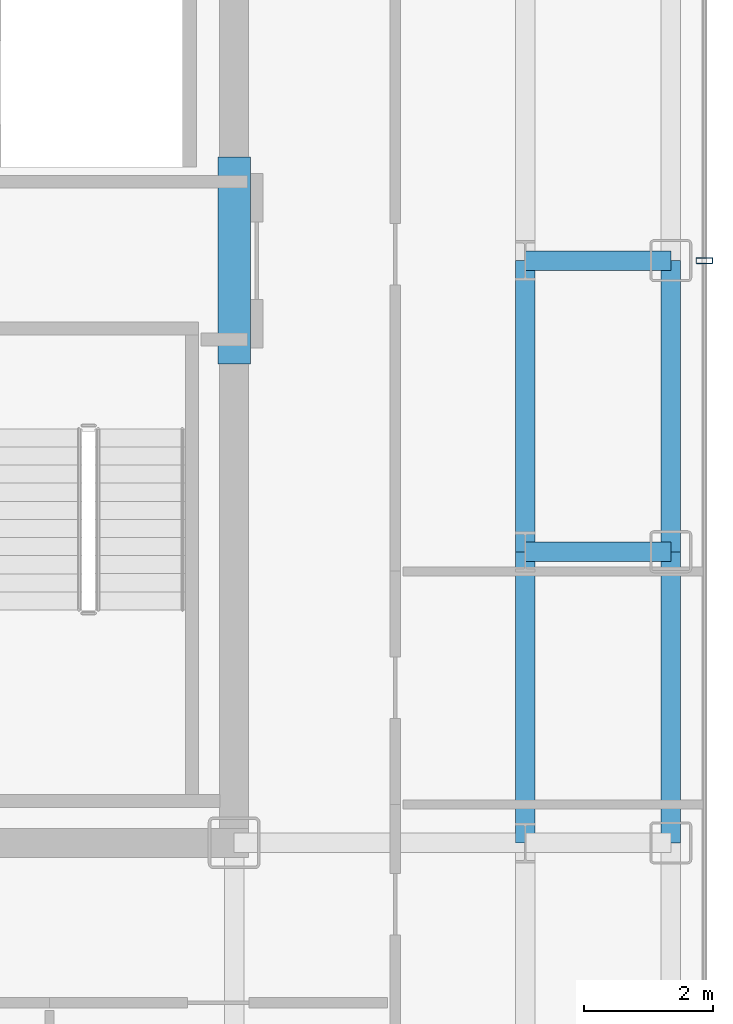
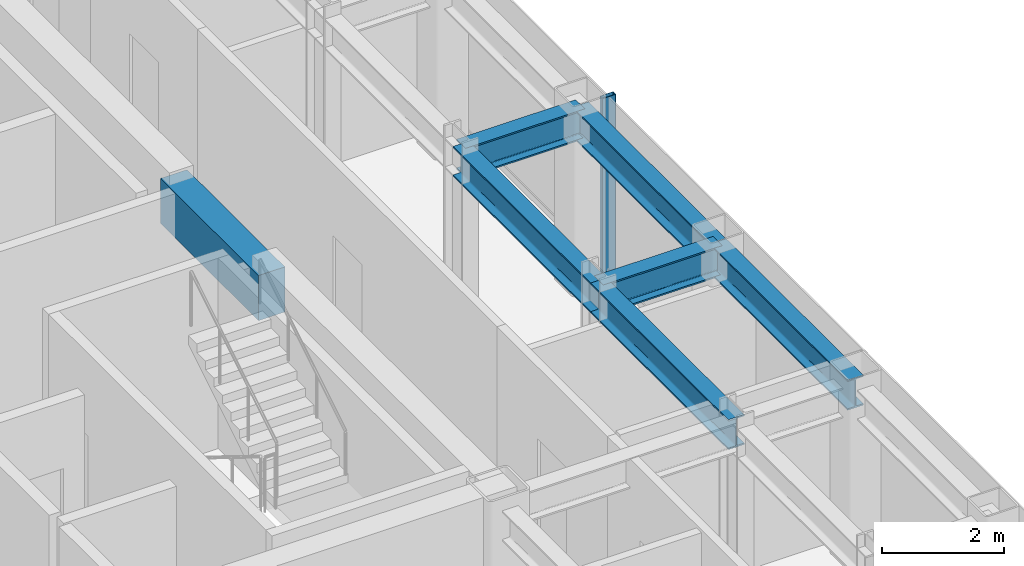
# One storey, part 7 of 18: 7 beams, 1 member, 1 element without a shape of its own.
"""IFC4 building model written with IfcOpenShell, lengths in metres."""

from ifc_helpers import new_model, si_unit, direction, frame, origin, origin_2d, place, context, subcontext, project, spatial, rectangle, hollow_rectangle, i_section, extrude, source, transform, mapped, material, layer, layer_set, material_profile, profile_set, type_object, element, aggregate, save


model = new_model("IFC4")

# Units and contexts
model_context = context("Model", 3, precision=1e-05, world=origin(), true_north=direction((0.0, 1.0)))
body_context = subcontext(model_context, "Body", "Model", "MODEL_VIEW")
ifc_project = project(units=[si_unit("LENGTHUNIT", "METRE"), si_unit("AREAUNIT", "SQUARE_METRE"), si_unit("VOLUMEUNIT", "CUBIC_METRE"), si_unit("PLANEANGLEUNIT", "RADIAN"), si_unit("MASSUNIT", "GRAM", prefix="KILO")], contexts=[model_context])

# Site, building, storey
site_placement = place(None, origin())
site = spatial("IfcSite", under=ifc_project, at=site_placement, CompositionType="ELEMENT")
building_placement = place(site_placement, origin())
building = spatial("IfcBuilding", under=site, at=building_placement, Name="Nefas-Gora Pilgrimage Tower", CompositionType="ELEMENT")
storey_placement = place(building_placement, frame((0.0, 0.0, 272.199951171875)))
storey = spatial("IfcBuildingStorey", under=building, at=storey_placement, Name="L68", CompositionType="ELEMENT", Elevation=272.199951171875)

# Beams
ifc_material_1 = material(Name="Concrete C50/60", Category="concrete")
ifc_material_profile_1 = material_profile(ifc_material_1, rectangle(XDim=0.5, YDim=0.89990234375, at=origin_2d()), Name="RC 500x900")
ifc_profile_set_1 = profile_set([ifc_material_profile_1], Name="Concrete C50/60")
beam_type_1 = type_object("IfcBeamType", Name="BM-LIN-RC900", PredefinedType="LINTEL", material=ifc_profile_set_1)
shared_shape_1 = source(origin(), body_context, "Body", "SweptSolid", [
    extrude(rectangle(XDim=0.5, YDim=0.89990234375, at=origin_2d()), origin(), (0.0, 0.0, 1.0), 3.2001953125),
])
beam_placement = place(storey_placement, frame((11.25, -1.60009765625, 3.10009765625), z_axis=(0.0, 1.0, 0.0), x_axis=(-1.0, 0.0, 0.0)))
element("IfcBeam", 1, at=beam_placement, inside=storey, type_object=beam_type_1, Name="L68 Core Coupling Lintel Beam E", PredefinedType="LINTEL", context=body_context, shape_type="MappedRepresentation", body=[
    mapped(shared_shape_1, transform((0.0, 0.0, 0.0), x_axis=(1.0, 0.0, 0.0), y_axis=(0.0, 1.0, 0.0), z_axis=(0.0, 0.0, 1.0), scale=1.0)),
])
ifc_material_2 = material(Name="Steel S355", Category="steel")
ifc_material_profile_2 = material_profile(ifc_material_2, i_section(OverallWidth=0.300048828125, OverallDepth=0.60009765625, WebThickness=0.015380859375, FlangeThickness=0.030029296875, FilletRadius=0.027099609375, at=origin_2d()), Name="HEB 600")
ifc_profile_set_2 = profile_set([ifc_material_profile_2], Name="Steel S355")
beam_type_2 = type_object("IfcBeamType", Name="BM-SPN-HEB450", PredefinedType="SPANDREL", material=ifc_profile_set_2)
shared_shape_2 = source(origin(), body_context, "Body", "SweptSolid", [
    extrude(i_section(OverallWidth=0.300048828125, OverallDepth=0.60009765625, WebThickness=0.015380859375, FlangeThickness=0.030029296875, FilletRadius=0.027099609375, at=origin_2d()), origin(), (0.0, 0.0, 1.0), 4.5),
])
for number, where, z_axis, x_axis, name in (
    (2, (18.0, -9.0, 3.25), (0.0, 1.0, 0.0), (-1.0, 0.0, 0.0), "L68 SP-03 beam"),
    (3, (18.0, -4.5, 3.25), (0.0, 1.0, 0.0), (-1.0, 0.0, 0.0), "L68 SP-03 beam"),
):
    element("IfcBeam", number, at=place(storey_placement, frame(where, z_axis=z_axis, x_axis=x_axis)), inside=storey, type_object=beam_type_2, Name=name, PredefinedType="SPANDREL", context=body_context, shape_type="MappedRepresentation", body=[
        mapped(shared_shape_2, transform((0.0, 0.0, 0.0), x_axis=(1.0, 0.0, 0.0), y_axis=(0.0, 1.0, 0.0), z_axis=(0.0, 0.0, 1.0), scale=1.0)),
    ])
ifc_material_profile_3 = material_profile(ifc_material_2, i_section(OverallWidth=0.300048828125, OverallDepth=0.60009765625, WebThickness=0.015380859375, FlangeThickness=0.030029296875, FilletRadius=0.027099609375, at=origin_2d()), Name="HEB 600")
ifc_profile_set_3 = profile_set([ifc_material_profile_3], Name="Steel S355")
beam_type_3 = type_object("IfcBeamType", Name="BM-GIR-HEB600", PredefinedType="BEAM", material=ifc_profile_set_3)
shared_shape_3 = source(origin(), body_context, "Body", "SweptSolid", [
    extrude(i_section(OverallWidth=0.300048828125, OverallDepth=0.60009765625, WebThickness=0.015380859375, FlangeThickness=0.030029296875, FilletRadius=0.027099609375, at=origin_2d()), origin(), (0.0, 0.0, 1.0), 4.5),
])
for number, where, z_axis, x_axis, name in (
    (4, (15.75, -9.0, 3.25), (0.0, 1.0, 0.0), (-1.0, 0.0, 0.0), "L68 G-04 beam"),
    (5, (15.75, -4.5, 3.25), (0.0, 1.0, 0.0), (-1.0, 0.0, 0.0), "L68 G-04 beam"),
):
    element("IfcBeam", number, at=place(storey_placement, frame(where, z_axis=z_axis, x_axis=x_axis)), inside=storey, type_object=beam_type_3, Name=name, PredefinedType="BEAM", context=body_context, shape_type="MappedRepresentation", body=[
        mapped(shared_shape_3, transform((0.0, 0.0, 0.0), x_axis=(1.0, 0.0, 0.0), y_axis=(0.0, 1.0, 0.0), z_axis=(0.0, 0.0, 1.0), scale=1.0)),
    ])
shared_shape_4 = source(origin(), body_context, "Body", "SweptSolid", [
    extrude(i_section(OverallWidth=0.300048828125, OverallDepth=0.60009765625, WebThickness=0.015380859375, FlangeThickness=0.030029296875, FilletRadius=0.027099609375, at=origin_2d()), origin(), (0.0, 0.0, 1.0), 2.25),
])
for number, where, z_axis, x_axis, name in (
    (6, (15.75, -4.5, 3.25), (1.0, 0.0, 0.0), (0.0, 1.0, 0.0), "L68 G-04 beam"),
    (7, (15.75, 0.0, 3.25), (1.0, 0.0, 0.0), (0.0, 1.0, 0.0), "L68 G-04 beam"),
):
    element("IfcBeam", number, at=place(storey_placement, frame(where, z_axis=z_axis, x_axis=x_axis)), inside=storey, type_object=beam_type_3, Name=name, PredefinedType="BEAM", context=body_context, shape_type="MappedRepresentation", body=[
        mapped(shared_shape_4, transform((0.0, 0.0, 0.0), x_axis=(1.0, 0.0, 0.0), y_axis=(0.0, 1.0, 0.0), z_axis=(0.0, 0.0, 1.0), scale=1.0)),
    ])

# Curtain wall, member
ifc_material_3 = material(Name="Dark ceramic-fritted solar-control aluminium-glass curtain wall", Category="aluminium")
ifc_layer = layer(ifc_material_3, 0.219970703125)
ifc_layer_set = layer_set([ifc_layer], Name="Dark ceramic-fritted solar-control aluminium-glass curtain wall")
curtain_wall_type = type_object("IfcCurtainWallType", Name="CW-SYS-4", PredefinedType="NOTDEFINED", material=ifc_layer_set)
curtain_wall_placement = place(storey_placement, origin())
curtain_wall = element("IfcCurtainWall", 8, at=curtain_wall_placement, inside=storey, type_object=curtain_wall_type, Name="L68 Unitised Curtain Wall CW4", PredefinedType="NOTDEFINED")
ifc_material_4 = material(Name="Anodised architectural aluminium", Category="aluminium")
ifc_material_profile_4 = material_profile(ifc_material_4, hollow_rectangle(XDim=0.090087890625, YDim=0.260009765625, WallThickness=0.006103515625, InnerFilletRadius=0.006103515625, OuterFilletRadius=0.011962890625, at=origin_2d()), Name="ALU MULLION 90x260")
ifc_profile_set_4 = profile_set([ifc_material_profile_4], Name="Anodised architectural aluminium")
member_type = type_object("IfcMemberType", Name="CWM-MUL-4", PredefinedType="MULLION", material=ifc_profile_set_4)
shared_shape_5 = source(origin(), body_context, "Body", "SweptSolid", [
    extrude(hollow_rectangle(XDim=0.090087890625, YDim=0.260009765625, WallThickness=0.006103515625, InnerFilletRadius=0.006103515625, OuterFilletRadius=0.011962890625, at=origin_2d()), origin(), (0.0, 0.0, 1.0), 3.550048828125),
])
member_placement = place(storey_placement, frame((18.52001953125, 0.0, 0.0), z_axis=(0.0, 0.0, 1.0), x_axis=(0.0, 1.0, 0.0)))
member = element("IfcMember", 9, at=member_placement, type_object=member_type, Name="CW4 Mullion 2", PredefinedType="MULLION", context=body_context, shape_type="MappedRepresentation", body=[
    mapped(shared_shape_5, transform((0.0, 0.0, 0.0), x_axis=(1.0, 0.0, 0.0), y_axis=(0.0, 1.0, 0.0), z_axis=(0.0, 0.0, 1.0), scale=1.0)),
])
aggregate(curtain_wall, [member])

save(model, "model.ifc")
